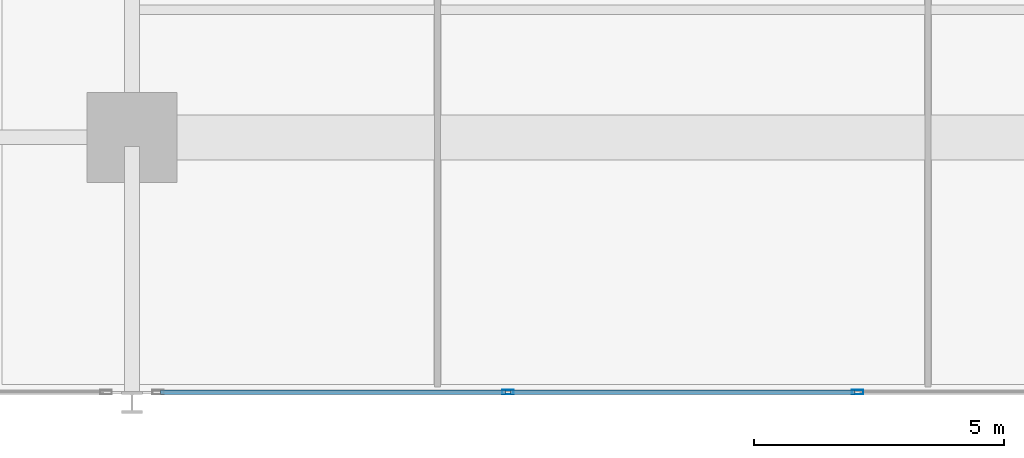
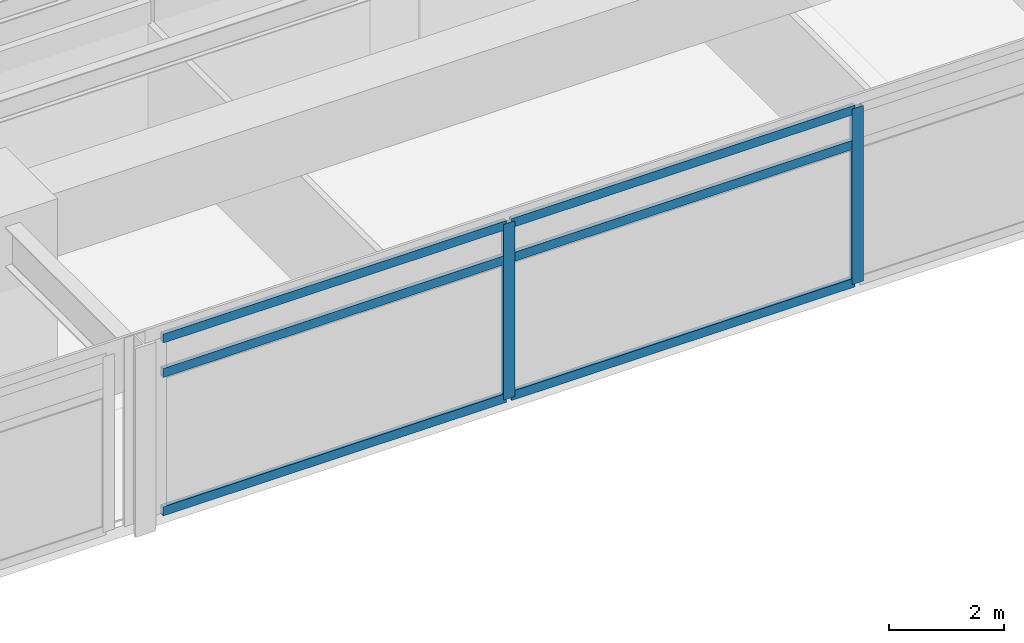
# One storey, part 3 of 20: 8 members, 1 element without a shape of its own.
"""IFC4 building model written with IfcOpenShell, lengths in metres."""

from ifc_helpers import new_model, si_unit, direction, frame, origin, origin_2d, place, context, subcontext, project, spatial, hollow_rectangle, extrude, material, material_profile, profile_set, type_object, element, aggregate, save


model = new_model("IFC4")

# Units and contexts
model_context = context("Model", 3, precision=1e-05, world=origin(), true_north=direction((0.0, 1.0)))
body_context = subcontext(model_context, "Body", "Model", "MODEL_VIEW")
ifc_project = project(units=[si_unit("LENGTHUNIT", "METRE"), si_unit("AREAUNIT", "SQUARE_METRE"), si_unit("VOLUMEUNIT", "CUBIC_METRE"), si_unit("PLANEANGLEUNIT", "RADIAN"), si_unit("MASSUNIT", "GRAM", prefix="KILO")], contexts=[model_context])

# Site, building, storey
site_placement = place(None, origin())
site = spatial("IfcSite", under=ifc_project, at=site_placement, CompositionType="ELEMENT")
building_placement = place(site_placement, origin())
building = spatial("IfcBuilding", under=site, at=building_placement, Name="Kovane Verandah Tower", CompositionType="ELEMENT")
storey_placement = place(building_placement, frame((0.0, 0.0, 35.60009765625)))
storey = spatial("IfcBuildingStorey", under=building, at=storey_placement, Name="L07", CompositionType="ELEMENT", Elevation=35.60009765625)

# Curtain wall, members
ifc_material_1 = material(Name="Champagne Anodised Aluminium Frame with Low-E Clear Laminated Glass", Category="aluminium")
curtain_wall_type = type_object("IfcCurtainWallType", Name="CW-SYS-02-LOW", PredefinedType="NOTDEFINED", material=ifc_material_1)
curtain_wall_placement = place(storey_placement, origin())
curtain_wall = element("IfcCurtainWall", 1, at=curtain_wall_placement, inside=storey, type_object=curtain_wall_type, Name="L07 S Unitised Curtain Wall-2", PredefinedType="NOTDEFINED")
ifc_material_2 = material(Name="Champagne Anodised Aluminium 6063-T6", Category="aluminium")
ifc_material_profile_1 = material_profile(ifc_material_2, hollow_rectangle(XDim=0.0849609375, YDim=0.22998046875, WallThickness=0.00390625, at=origin_2d()), Name="AL85x230x4")
ifc_profile_set_1 = profile_set([ifc_material_profile_1], Name="Champagne Anodised Aluminium 6063-T6")
member_type_1 = type_object("IfcMemberType", Name="CW-MUL-85x230", PredefinedType="MULLION", material=ifc_profile_set_1)
member_1_placement = place(storey_placement, frame((36.506591796875, 5.710693359375, 0.02001953125), z_axis=(0.0, 0.0, 1.0), x_axis=(0.0, -1.0, 0.0)))
member_1 = element("IfcMember", 2, at=member_1_placement, type_object=member_type_1, Name="L07 S Unitised Curtain Wall-2 Mullion 2", PredefinedType="MULLION", context=body_context, shape_type="SweptSolid", body=[
    extrude(hollow_rectangle(XDim=0.0849609375, YDim=0.22998046875, WallThickness=0.00390625, at=origin_2d()), origin(), (0.0, 0.0, 1.0), 3.719970703125),
])
member_2_placement = place(storey_placement, frame((43.493408203125, 5.710693359375, 0.02001953125), z_axis=(0.0, 0.0, 1.0), x_axis=(0.0, -1.0, 0.0)))
member_2 = element("IfcMember", 3, at=member_2_placement, type_object=member_type_1, Name="L07 S Unitised Curtain Wall-2 Mullion 3", PredefinedType="MULLION", context=body_context, shape_type="SweptSolid", body=[
    extrude(hollow_rectangle(XDim=0.0849609375, YDim=0.22998046875, WallThickness=0.00390625, at=origin_2d()), origin(), (0.0, 0.0, 1.0), 3.719970703125),
])
ifc_material_profile_2 = material_profile(ifc_material_2, hollow_rectangle(XDim=0.0849609375, YDim=0.18994140625, WallThickness=0.00390625, at=origin_2d()), Name="AL85x190x4")
ifc_profile_set_2 = profile_set([ifc_material_profile_2], Name="Champagne Anodised Aluminium 6063-T6")
member_type_2 = type_object("IfcMemberType", Name="CW-TRN-85x190", PredefinedType="USERDEFINED", material=ifc_profile_set_2)
member_3_placement = place(storey_placement, frame((29.570068359375, 5.710693359375, 0.0498046875), z_axis=(1.0, 0.0, 0.0), x_axis=(0.0, 1.0, 0.0)))
member_3 = element("IfcMember", 4, at=member_3_placement, type_object=member_type_2, Name="L07 S Unitised Curtain Wall-2 Transom TB Bay 1", ObjectType="TRANSOM", PredefinedType="USERDEFINED", context=body_context, shape_type="SweptSolid", body=[
    extrude(hollow_rectangle(XDim=0.0849609375, YDim=0.18994140625, WallThickness=0.00390625, at=origin_2d()), origin(), (0.0, 0.0, 1.0), 6.88671875),
])
member_4_placement = place(storey_placement, frame((29.570068359375, 5.710693359375, 2.97998046875), z_axis=(1.0, 0.0, 0.0), x_axis=(0.0, 1.0, 0.0)))
member_4 = element("IfcMember", 5, at=member_4_placement, type_object=member_type_2, Name="L07 S Unitised Curtain Wall-2 Transom TM Bay 1", ObjectType="TRANSOM", PredefinedType="USERDEFINED", context=body_context, shape_type="SweptSolid", body=[
    extrude(hollow_rectangle(XDim=0.0849609375, YDim=0.18994140625, WallThickness=0.00390625, at=origin_2d()), origin(), (0.0, 0.0, 1.0), 6.88671875),
])
member_5_placement = place(storey_placement, frame((29.570068359375, 5.710693359375, 3.7099609375), z_axis=(1.0, 0.0, 0.0), x_axis=(0.0, 1.0, 0.0)))
member_5 = element("IfcMember", 6, at=member_5_placement, type_object=member_type_2, Name="L07 S Unitised Curtain Wall-2 Transom TT Bay 1", ObjectType="TRANSOM", PredefinedType="USERDEFINED", context=body_context, shape_type="SweptSolid", body=[
    extrude(hollow_rectangle(XDim=0.0849609375, YDim=0.18994140625, WallThickness=0.00390625, at=origin_2d()), origin(), (0.0, 0.0, 1.0), 6.88671875),
])
member_6_placement = place(storey_placement, frame((36.556640625, 5.710693359375, 0.0498046875), z_axis=(1.0, 0.0, 0.0), x_axis=(0.0, 1.0, 0.0)))
member_6 = element("IfcMember", 7, at=member_6_placement, type_object=member_type_2, Name="L07 S Unitised Curtain Wall-2 Transom TB Bay 2", ObjectType="TRANSOM", PredefinedType="USERDEFINED", context=body_context, shape_type="SweptSolid", body=[
    extrude(hollow_rectangle(XDim=0.0849609375, YDim=0.18994140625, WallThickness=0.00390625, at=origin_2d()), origin(), (0.0, 0.0, 1.0), 6.88671875),
])
member_7_placement = place(storey_placement, frame((36.556640625, 5.710693359375, 2.97998046875), z_axis=(1.0, 0.0, 0.0), x_axis=(0.0, 1.0, 0.0)))
member_7 = element("IfcMember", 8, at=member_7_placement, type_object=member_type_2, Name="L07 S Unitised Curtain Wall-2 Transom TM Bay 2", ObjectType="TRANSOM", PredefinedType="USERDEFINED", context=body_context, shape_type="SweptSolid", body=[
    extrude(hollow_rectangle(XDim=0.0849609375, YDim=0.18994140625, WallThickness=0.00390625, at=origin_2d()), origin(), (0.0, 0.0, 1.0), 6.88671875),
])
member_8_placement = place(storey_placement, frame((36.556640625, 5.710693359375, 3.7099609375), z_axis=(1.0, 0.0, 0.0), x_axis=(0.0, 1.0, 0.0)))
member_8 = element("IfcMember", 9, at=member_8_placement, type_object=member_type_2, Name="L07 S Unitised Curtain Wall-2 Transom TT Bay 2", ObjectType="TRANSOM", PredefinedType="USERDEFINED", context=body_context, shape_type="SweptSolid", body=[
    extrude(hollow_rectangle(XDim=0.0849609375, YDim=0.18994140625, WallThickness=0.00390625, at=origin_2d()), origin(), (0.0, 0.0, 1.0), 6.88671875),
])
aggregate(curtain_wall, [member_1, member_2, member_3, member_4, member_5, member_6, member_7, member_8])

save(model, "model.ifc")
